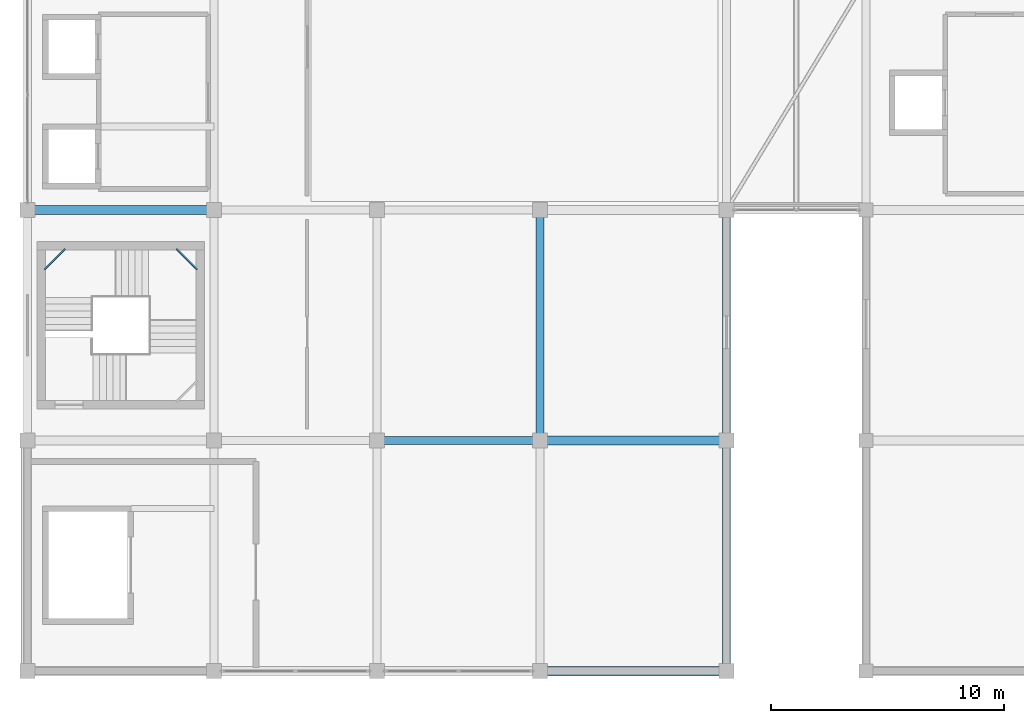
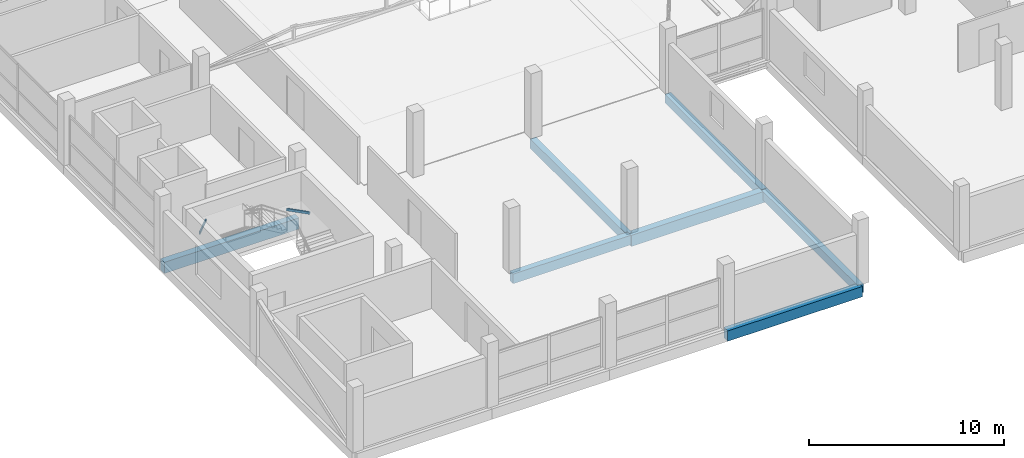
# One storey, part 5 of 66: 9 beams.
"""IFC4 building model written with IfcOpenShell, lengths in metres."""

from ifc_helpers import new_model, si_unit, direction, frame, origin, origin_2d, place, context, subcontext, project, spatial, rectangle, hollow_rectangle, extrude, material, material_profile, profile_set, type_object, element, save


model = new_model("IFC4")

# Units and contexts
model_context = context("Model", 3, precision=1e-05, world=origin(), true_north=direction((0.0, 1.0)))
body_context = subcontext(model_context, "Body", "Model", "MODEL_VIEW")
ifc_project = project(units=[si_unit("LENGTHUNIT", "METRE"), si_unit("AREAUNIT", "SQUARE_METRE"), si_unit("VOLUMEUNIT", "CUBIC_METRE"), si_unit("PLANEANGLEUNIT", "RADIAN"), si_unit("MASSUNIT", "GRAM", prefix="KILO")], contexts=[model_context])

# Site, building, storey
site_placement = place(None, origin())
site = spatial("IfcSite", under=ifc_project, at=site_placement, CompositionType="ELEMENT")
building_placement = place(site_placement, origin())
building = spatial("IfcBuilding", under=site, at=building_placement, Name="Sillaruma Civic Art Gallery", CompositionType="ELEMENT")
storey_placement = place(building_placement, frame((0.0, 0.0, 62.219970703125)))
storey = spatial("IfcBuildingStorey", under=building, at=storey_placement, Name="L12", CompositionType="ELEMENT", Elevation=62.219970703125)

# Beams
ifc_material_1 = material(Name="Concrete H35 (35 MPa)", Category="concrete")
ifc_material_profile_1 = material_profile(ifc_material_1, rectangle(XDim=0.35009765625, YDim=0.60009765625, at=origin_2d()), Name="RCB350x600")
ifc_profile_set_1 = profile_set([ifc_material_profile_1], Name="Concrete H35 (35 MPa)")
beam_type_1 = type_object("IfcBeamType", Name="BM-BEAM-RCB350x600", PredefinedType="BEAM", material=ifc_profile_set_1)
beam_1_placement = place(storey_placement, frame((77.0, 29.699951171875, -0.530029296875), z_axis=(1.0, 0.0, 0.0), x_axis=(0.0, 1.0, 0.0)))
element("IfcBeam", 1, at=beam_1_placement, inside=storey, type_object=beam_type_1, Name="Beam BM-06 (L11:4:H-J)", PredefinedType="BEAM", context=body_context, shape_type="SweptSolid", body=[
    extrude(rectangle(XDim=0.35009765625, YDim=0.60009765625, at=origin_2d()), origin(), (0.0, 0.0, 1.0), 7.0),
])
beam_2_placement = place(storey_placement, frame((84.0, 29.699951171875, -0.530029296875), z_axis=(0.0, 1.0, 0.0), x_axis=(-1.0, 0.0, 0.0)))
element("IfcBeam", 2, at=beam_2_placement, inside=storey, type_object=beam_type_1, Name="Beam BM-06 (L11:J:4-5)", PredefinedType="BEAM", context=body_context, shape_type="SweptSolid", body=[
    extrude(rectangle(XDim=0.35009765625, YDim=0.60009765625, at=origin_2d()), origin(), (0.0, 0.0, 1.0), 9.900146484375),
])
ifc_material_profile_2 = material_profile(ifc_material_1, rectangle(XDim=0.39990234375, YDim=0.699951171875, at=origin_2d()), Name="RCB400x700")
ifc_profile_set_2 = profile_set([ifc_material_profile_2], Name="Concrete H35 (35 MPa)")
beam_type_2 = type_object("IfcBeamType", Name="BM-BEAM-RCB400x700", PredefinedType="BEAM", material=ifc_profile_set_2)
for number, where, z_axis, x_axis, name in (
    (3, (84.0, 29.699951171875, -0.580078125), (1.0, 0.0, 0.0), (0.0, 1.0, 0.0), "Beam BM-04 (L11:4:J-K)"),
    (4, (62.0, 39.60009765625, -0.580078125), (1.0, 0.0, 0.0), (0.0, 1.0, 0.0), "Beam BM-04 (L11:5:F-G)"),
):
    element("IfcBeam", number, at=place(storey_placement, frame(where, z_axis=z_axis, x_axis=x_axis)), inside=storey, type_object=beam_type_2, Name=name, PredefinedType="BEAM", context=body_context, shape_type="SweptSolid", body=[
        extrude(rectangle(XDim=0.39990234375, YDim=0.699951171875, at=origin_2d()), origin(), (0.0, 0.0, 1.0), 8.0),
    ])
ifc_material_2 = material(Name="Structural Steel ASTM A500 Gr.C", Category="steel")
ifc_material_profile_3 = material_profile(ifc_material_2, hollow_rectangle(XDim=0.080078125, YDim=0.159912109375, WallThickness=0.008056640625, InnerFilletRadius=0.008056640625, OuterFilletRadius=0.01611328125, at=origin_2d()), Name="HSS160x80x8")
ifc_profile_set_3 = profile_set([ifc_material_profile_3], Name="Structural Steel ASTM A500 Gr.C")
beam_type_3 = type_object("IfcBeamType", Name="BM-LND-HSS160", PredefinedType="BEAM", material=ifc_profile_set_3)
for number, where, z_axis, x_axis, name in (
    (5, (68.389892578125, 37.929931640625, 1.760009765625), (0.707203758046, -0.707009791025, 0.0), (0.707009791025, 0.707203758046, 0.0), "Stair Corner Landing Trimmer Beam (ST-03-L12-2)"),
    (6, (62.719970703125, 37.0400390625, 2.780029296875), (0.707203758046, 0.707009791025, 0.0), (-0.707009791025, 0.707203758046, 0.0), "Stair Corner Landing Trimmer Beam (ST-03-L12-3)"),
):
    element("IfcBeam", number, at=place(storey_placement, frame(where, z_axis=z_axis, x_axis=x_axis)), inside=storey, type_object=beam_type_3, Name=name, PredefinedType="BEAM", context=body_context, shape_type="SweptSolid", body=[
        extrude(hollow_rectangle(XDim=0.080078125, YDim=0.159912109375, WallThickness=0.008056640625, InnerFilletRadius=0.008056640625, OuterFilletRadius=0.01611328125, at=origin_2d()), origin(), (0.0, 0.0, 1.0), 1.2587890625),
    ])
ifc_material_profile_4 = material_profile(ifc_material_1, rectangle(XDim=0.35009765625, YDim=0.550048828125, at=origin_2d()), Name="RCB350x550")
ifc_profile_set_4 = profile_set([ifc_material_profile_4], Name="Concrete H35 (35 MPa)")
beam_type_4 = type_object("IfcBeamType", Name="BM-SPANDREL-RCB350x550", PredefinedType="SPANDREL", material=ifc_profile_set_4)
beam_3_placement = place(storey_placement, frame((92.0, 19.800048828125, -0.5048828125), z_axis=(0.0, 1.0, 0.0), x_axis=(-1.0, 0.0, 0.0)))
element("IfcBeam", 7, at=beam_3_placement, inside=storey, type_object=beam_type_4, Name="Beam BS-04 (L11:K:3-4)", PredefinedType="SPANDREL", context=body_context, shape_type="SweptSolid", body=[
    extrude(rectangle(XDim=0.35009765625, YDim=0.550048828125, at=origin_2d()), origin(), (0.0, 0.0, 1.0), 9.89990234375),
])
beam_4_placement = place(storey_placement, frame((92.0, 29.699951171875, -0.5048828125), z_axis=(0.0, 1.0, 0.0), x_axis=(-1.0, 0.0, 0.0)))
element("IfcBeam", 8, at=beam_4_placement, inside=storey, type_object=beam_type_4, Name="Beam BS-04 (L11:K:4-5)", PredefinedType="SPANDREL", context=body_context, shape_type="SweptSolid", body=[
    extrude(rectangle(XDim=0.35009765625, YDim=0.550048828125, at=origin_2d()), origin(), (0.0, 0.0, 1.0), 9.900146484375),
])
ifc_material_profile_5 = material_profile(ifc_material_1, rectangle(XDim=0.39990234375, YDim=0.64990234375, at=origin_2d()), Name="RCB400x650")
ifc_profile_set_5 = profile_set([ifc_material_profile_5], Name="Concrete H35 (35 MPa)")
beam_type_5 = type_object("IfcBeamType", Name="BM-SPANDREL-RCB400x650", PredefinedType="SPANDREL", material=ifc_profile_set_5)
beam_5_placement = place(storey_placement, frame((84.0, 19.800048828125, -0.554931640625), z_axis=(1.0, 0.0, 0.0), x_axis=(0.0, 1.0, 0.0)))
element("IfcBeam", 9, at=beam_5_placement, inside=storey, type_object=beam_type_5, Name="Beam BS-02 (L11:3:J-K)", PredefinedType="SPANDREL", context=body_context, shape_type="SweptSolid", body=[
    extrude(rectangle(XDim=0.39990234375, YDim=0.64990234375, at=origin_2d()), origin(), (0.0, 0.0, 1.0), 8.0),
])

save(model, "model.ifc")
